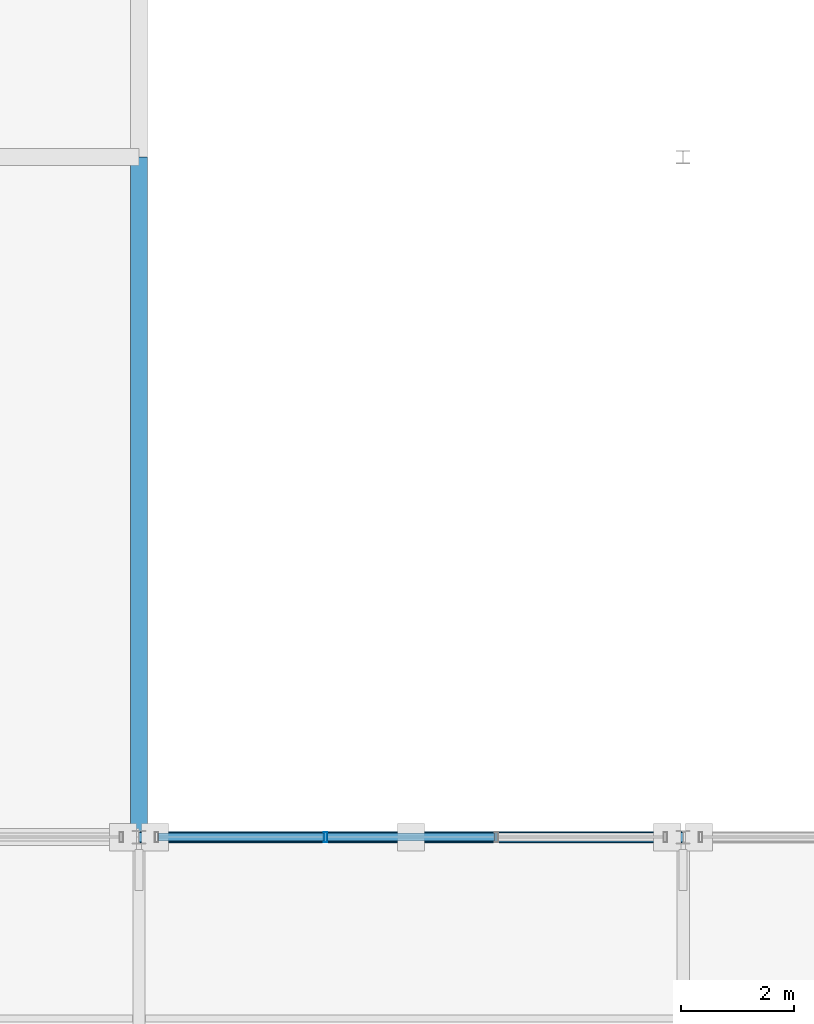
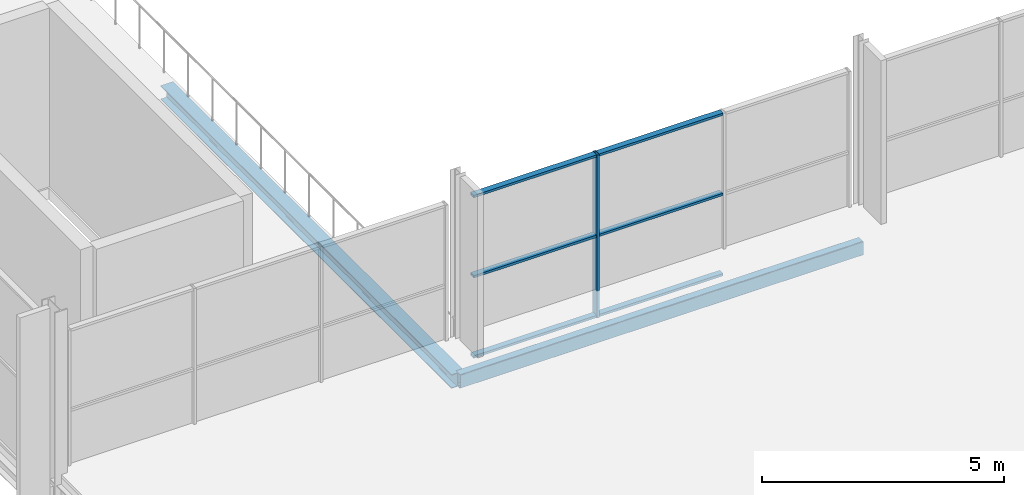
# One storey, part 24 of 159: 7 members, 2 beams, 1 element without a shape of its own.
"""IFC4 building model written with IfcOpenShell, lengths in metres."""

from ifc_helpers import new_model, si_unit, direction, frame, origin, origin_2d, place, context, subcontext, project, spatial, hollow_rectangle, i_section, extrude, material, material_profile, profile_set, type_object, element, aggregate, save


model = new_model("IFC4")

# Units and contexts
model_context = context("Model", 3, precision=1e-05, world=origin(), true_north=direction((0.0, 1.0)))
body_context = subcontext(model_context, "Body", "Model", "MODEL_VIEW")
ifc_project = project(units=[si_unit("LENGTHUNIT", "METRE"), si_unit("AREAUNIT", "SQUARE_METRE"), si_unit("VOLUMEUNIT", "CUBIC_METRE"), si_unit("PLANEANGLEUNIT", "RADIAN"), si_unit("MASSUNIT", "GRAM", prefix="KILO")], contexts=[model_context])

# Site, building, storey
site_placement = place(None, origin())
site = spatial("IfcSite", under=ifc_project, at=site_placement, CompositionType="ELEMENT")
building_placement = place(site_placement, origin())
building = spatial("IfcBuilding", under=site, at=building_placement, Name="Merenkruunu Market Hall", CompositionType="ELEMENT")
storey_placement = place(building_placement, frame((0.0, 0.0, 5.39990234375)))
storey = spatial("IfcBuildingStorey", under=building, at=storey_placement, Name="L01", CompositionType="ELEMENT", Elevation=5.39990234375)

# Curtain wall, members
ifc_material_1 = material(Name="Powder-coated aluminium", Category="aluminium")
curtain_wall_type = type_object("IfcCurtainWallType", Name="Glazed Curtain Wall CW09", PredefinedType="USERDEFINED", material=ifc_material_1)
curtain_wall_placement = place(storey_placement, origin())
curtain_wall = element("IfcCurtainWall", 1, at=curtain_wall_placement, inside=storey, type_object=curtain_wall_type, Name="CW-L01-CWM02-023", ObjectType="GLAZED_FACADE", PredefinedType="USERDEFINED")
ifc_material_profile_1 = material_profile(ifc_material_1, hollow_rectangle(XDim=0.06005859375, YDim=0.179931640625, WallThickness=0.00390625, at=origin_2d()), Name="ALU 60x180x4")
ifc_profile_set_1 = profile_set([ifc_material_profile_1], Name="Powder-coated aluminium")
member_type_1 = type_object("IfcMemberType", Name="Curtain Wall Mullion CWM02", PredefinedType="MULLION", material=ifc_profile_set_1)
member_1_placement = place(storey_placement, frame((12.893310546875, 15.60009765625, 0.0), z_axis=(0.0, 0.0, 1.0), x_axis=(-1.0, 0.0, 0.0)))
member_1 = element("IfcMember", 2, at=member_1_placement, type_object=member_type_1, Name="CW09 mullion 3", PredefinedType="MULLION", context=body_context, shape_type="SweptSolid", body=[
    extrude(hollow_rectangle(XDim=0.06005859375, YDim=0.179931640625, WallThickness=0.00390625, at=origin_2d()), origin(), (0.0, 0.0, 1.0), 4.10009765625),
])
ifc_material_profile_2 = material_profile(ifc_material_1, hollow_rectangle(XDim=0.06005859375, YDim=0.139892578125, WallThickness=0.00390625, at=origin_2d()), Name="ALU 60x140x4")
ifc_profile_set_2 = profile_set([ifc_material_profile_2], Name="Powder-coated aluminium")
member_type_2 = type_object("IfcMemberType", Name="Curtain Wall Transom CWT02", PredefinedType="USERDEFINED", material=ifc_profile_set_2)
member_2_placement = place(storey_placement, frame((15.876708984375, 15.60009765625, 0.030029296875), z_axis=(-1.0, 0.0, 0.0), x_axis=(0.0, 0.0, 1.0)))
member_2 = element("IfcMember", 3, at=member_2_placement, type_object=member_type_2, Name="CW09 transom 2.1", ObjectType="TRANSOM", PredefinedType="USERDEFINED", context=body_context, shape_type="SweptSolid", body=[
    extrude(hollow_rectangle(XDim=0.06005859375, YDim=0.139892578125, WallThickness=0.00390625, at=origin_2d()), origin(), (0.0, 0.0, 1.0), 2.953369140625),
])
member_3_placement = place(storey_placement, frame((15.876708984375, 15.60009765625, 2.050048828125), z_axis=(-1.0, 0.0, 0.0), x_axis=(0.0, 0.0, 1.0)))
member_3 = element("IfcMember", 4, at=member_3_placement, type_object=member_type_2, Name="CW09 transom 2.2", ObjectType="TRANSOM", PredefinedType="USERDEFINED", context=body_context, shape_type="SweptSolid", body=[
    extrude(hollow_rectangle(XDim=0.06005859375, YDim=0.139892578125, WallThickness=0.00390625, at=origin_2d()), origin(), (0.0, 0.0, 1.0), 2.953369140625),
])
member_4_placement = place(storey_placement, frame((15.876708984375, 15.60009765625, 4.070068359375), z_axis=(-1.0, 0.0, 0.0), x_axis=(0.0, 0.0, 1.0)))
member_4 = element("IfcMember", 5, at=member_4_placement, type_object=member_type_2, Name="CW09 transom 2.3", ObjectType="TRANSOM", PredefinedType="USERDEFINED", context=body_context, shape_type="SweptSolid", body=[
    extrude(hollow_rectangle(XDim=0.06005859375, YDim=0.139892578125, WallThickness=0.00390625, at=origin_2d()), origin(), (0.0, 0.0, 1.0), 2.953369140625),
])
member_5_placement = place(storey_placement, frame((12.86328125, 15.60009765625, 0.030029296875), z_axis=(-1.0, 0.0, 0.0), x_axis=(0.0, 0.0, 1.0)))
member_5 = element("IfcMember", 6, at=member_5_placement, type_object=member_type_2, Name="CW09 transom 3.1", ObjectType="TRANSOM", PredefinedType="USERDEFINED", context=body_context, shape_type="SweptSolid", body=[
    extrude(hollow_rectangle(XDim=0.06005859375, YDim=0.139892578125, WallThickness=0.00390625, at=origin_2d()), origin(), (0.0, 0.0, 1.0), 2.92333984375),
])
member_6_placement = place(storey_placement, frame((12.86328125, 15.60009765625, 2.050048828125), z_axis=(-1.0, 0.0, 0.0), x_axis=(0.0, 0.0, 1.0)))
member_6 = element("IfcMember", 7, at=member_6_placement, type_object=member_type_2, Name="CW09 transom 3.2", ObjectType="TRANSOM", PredefinedType="USERDEFINED", context=body_context, shape_type="SweptSolid", body=[
    extrude(hollow_rectangle(XDim=0.06005859375, YDim=0.139892578125, WallThickness=0.00390625, at=origin_2d()), origin(), (0.0, 0.0, 1.0), 2.92333984375),
])
member_7_placement = place(storey_placement, frame((12.86328125, 15.60009765625, 4.070068359375), z_axis=(-1.0, 0.0, 0.0), x_axis=(0.0, 0.0, 1.0)))
member_7 = element("IfcMember", 8, at=member_7_placement, type_object=member_type_2, Name="CW09 transom 3.3", ObjectType="TRANSOM", PredefinedType="USERDEFINED", context=body_context, shape_type="SweptSolid", body=[
    extrude(hollow_rectangle(XDim=0.06005859375, YDim=0.139892578125, WallThickness=0.00390625, at=origin_2d()), origin(), (0.0, 0.0, 1.0), 2.92333984375),
])
aggregate(curtain_wall, [member_1, member_2, member_3, member_4, member_5, member_6, member_7])

# Beams
ifc_material_2 = material(Name="Steel S355J2", Category="steel")
ifc_material_profile_3 = material_profile(ifc_material_2, hollow_rectangle(XDim=0.199951171875, YDim=0.35009765625, WallThickness=0.012451171875, InnerFilletRadius=0.012451171875, OuterFilletRadius=0.02490234375, at=origin_2d()), Name="RHS 350x200x12.5")
ifc_profile_set_3 = profile_set([ifc_material_profile_3], Name="Steel S355J2")
beam_type_1 = type_object("IfcBeamType", Name="Perimeter Spandrel Beam SP02", PredefinedType="SPANDREL", material=ifc_profile_set_3)
beam_1_placement = place(storey_placement, frame((9.60009765625, 15.60009765625, -0.454833984375), z_axis=(1.0, 0.0, 0.0), x_axis=(0.0, 1.0, 0.0)))
element("IfcBeam", 9, at=beam_1_placement, inside=storey, type_object=beam_type_1, Name="BM-L01-SP02-1241", PredefinedType="SPANDREL", context=body_context, shape_type="SweptSolid", body=[
    extrude(hollow_rectangle(XDim=0.199951171875, YDim=0.35009765625, WallThickness=0.012451171875, InnerFilletRadius=0.012451171875, OuterFilletRadius=0.02490234375, at=origin_2d()), origin(), (0.0, 0.0, 1.0), 9.599853515625),
])
ifc_material_profile_4 = material_profile(ifc_material_2, i_section(OverallWidth=0.300048828125, OverallDepth=0.35009765625, WebThickness=0.010009765625, FlangeThickness=0.017578125, FilletRadius=0.027099609375, at=origin_2d()), Name="HEA 360")
ifc_profile_set_4 = profile_set([ifc_material_profile_4], Name="Steel S355J2")
beam_type_2 = type_object("IfcBeamType", Name="Primary Floor Girder B08", PredefinedType="BEAM", material=ifc_profile_set_4)
beam_2_placement = place(storey_placement, frame((9.60009765625, 15.60009765625, -0.454833984375), z_axis=(0.0, 1.0, 0.0), x_axis=(-1.0, 0.0, 0.0)))
element("IfcBeam", 10, at=beam_2_placement, inside=storey, type_object=beam_type_2, Name="BM-L01-B08-0559", PredefinedType="BEAM", context=body_context, shape_type="SweptSolid", body=[
    extrude(i_section(OverallWidth=0.300048828125, OverallDepth=0.35009765625, WebThickness=0.010009765625, FlangeThickness=0.017578125, FilletRadius=0.027099609375, at=origin_2d()), origin(), (0.0, 0.0, 1.0), 12.0),
])

save(model, "model.ifc")
